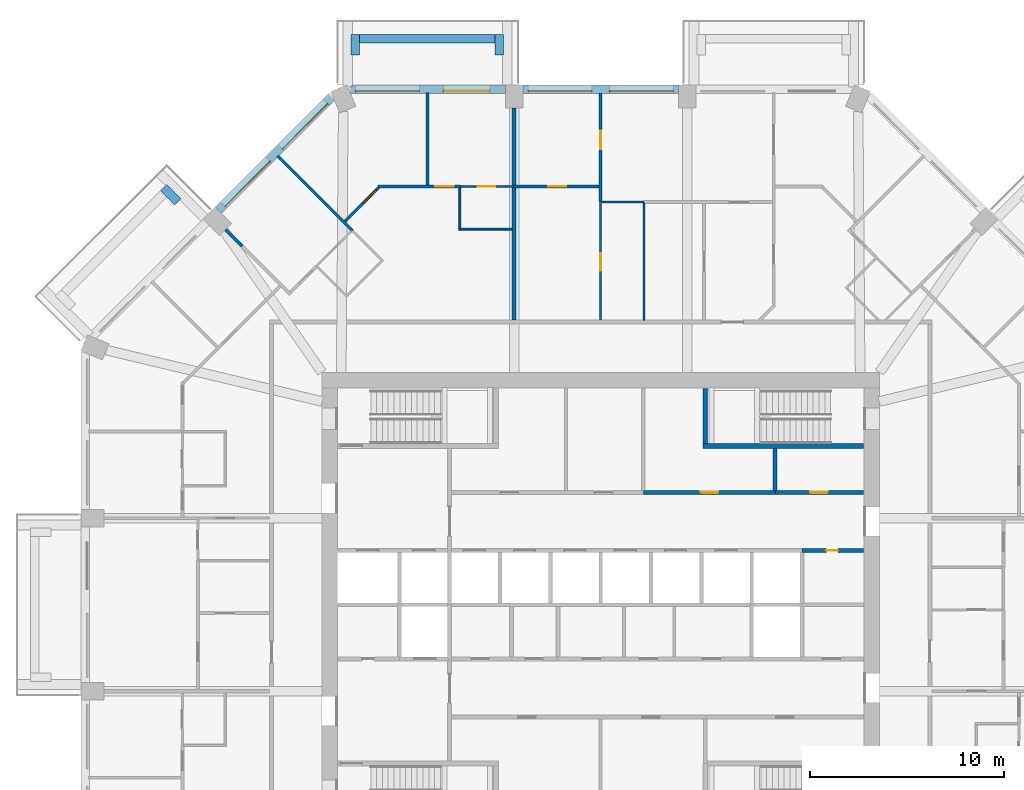
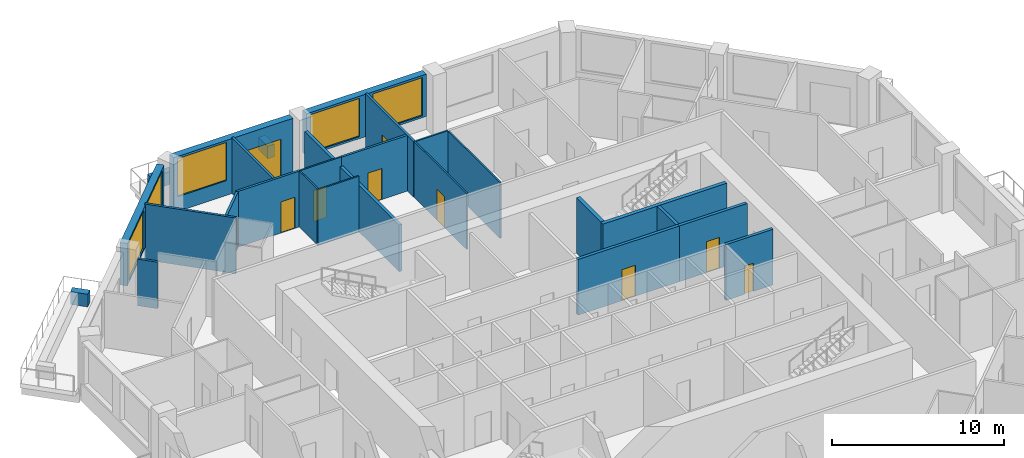
# One storey, part 9 of 13: 27 walls, 10 doors, 5 windows, 15 openings.
"""IFC4 building model written with IfcOpenShell, lengths in metres."""

from ifc_helpers import new_model, si_unit, direction, frame, frame_2d, origin, place, context, subcontext, project, spatial, rectangle, extrude, material, layer, layer_set, type_object, element, fill, save


model = new_model("IFC4")

# Units and contexts
model_context = context("Model", 3, precision=1e-05, world=origin(), true_north=direction((0.0, 1.0)))
body_context = subcontext(model_context, "Body", "Model", "MODEL_VIEW")
ifc_project = project(units=[si_unit("LENGTHUNIT", "METRE"), si_unit("AREAUNIT", "SQUARE_METRE"), si_unit("VOLUMEUNIT", "CUBIC_METRE"), si_unit("PLANEANGLEUNIT", "RADIAN"), si_unit("MASSUNIT", "GRAM", prefix="KILO")], contexts=[model_context])

# Site, building, storey
site_placement = place(None, origin())
site = spatial("IfcSite", under=ifc_project, at=site_placement, CompositionType="ELEMENT")
building_placement = place(site_placement, origin())
building = spatial("IfcBuilding", under=site, at=building_placement, Name="Msitu Wima Residences", CompositionType="ELEMENT")
storey_placement = place(building_placement, frame((0.0, 0.0, 114.89990234375)))
storey = spatial("IfcBuildingStorey", under=building, at=storey_placement, Name="L26", CompositionType="ELEMENT", Elevation=114.89990234375)

# Walls
ifc_material_1 = material(Name="Facing brick")
ifc_layer_1 = layer(ifc_material_1, 0.06494140625, Name="Facing brick")
ifc_material_2 = material(Name="Concrete C40/50", Category="concrete")
ifc_layer_2 = layer(ifc_material_2, 0.156005859375, Name="Concrete C40/50")
ifc_material_3 = material(Name="Waterproofing membrane")
ifc_layer_3 = layer(ifc_material_3, 0.00390625, Name="Waterproofing membrane")
ifc_material_4 = material(Name="Planting soil and planting")
ifc_layer_4 = layer(ifc_material_4, 0.22509765625, Name="Planting soil and planting")
ifc_layer_set_1 = layer_set([ifc_layer_1, ifc_layer_2, ifc_layer_3, ifc_layer_4], Name="Concrete C40/50")
wall_type_1 = type_object("IfcWallType", Name="Balcony planter PLANTER PL450", PredefinedType="USERDEFINED", material=ifc_layer_set_1)
wall_1_placement = place(storey_placement, frame((-5.468505859375, 29.22509765625, 0.0), z_axis=(0.0, 0.0, 1.0), x_axis=(-1.0, 0.0, 0.0)))
element("IfcWall", 1, at=wall_1_placement, inside=storey, type_object=wall_type_1, Name="Balcony planter N2 L26", ObjectType="PLANTER", PredefinedType="USERDEFINED", context=body_context, shape_type="SweptSolid", body=[
    extrude(rectangle(XDim=6.9873046875, YDim=0.449951171875, at=frame_2d((3.49365234375, 0.0))), origin(), (0.0, 0.0, 1.0), 0.900146484375),
])
for number, where, z_axis, x_axis, name in (
    (2, (-5.24365234375, 28.39990234375, 0.0), (0.0, 0.0, 1.0), (0.0, 1.0, 0.0), "Balcony planter N2 L26"),
    (3, (-12.680908203125, 28.39990234375, 0.0), (0.0, 0.0, 1.0), (0.0, 1.0, 0.0), "Balcony planter N2 L26"),
    (4, (-21.829833984375, 20.804443359375, 0.0), (0.0, 0.0, 1.0), (-0.707106781187, 0.707106781187, 0.0), "Balcony planter NW1 L26"),
):
    element("IfcWall", number, at=place(storey_placement, frame(where, z_axis=z_axis, x_axis=x_axis)), inside=storey, type_object=wall_type_1, Name=name, ObjectType="PLANTER", PredefinedType="USERDEFINED", context=body_context, shape_type="SweptSolid", body=[
        extrude(rectangle(XDim=1.050048828125, YDim=0.449951171875, at=frame_2d((0.52490234375, 0.0))), origin(), (0.0, 0.0, 1.0), 0.900146484375),
    ])

# Wall, openings, windows
ifc_material_5 = material(Name="Brick (red buff mix)", Category="masonry")
ifc_layer_5 = layer(ifc_material_5, 0.449951171875)
ifc_layer_set_2 = layer_set([ifc_layer_5], Name="Brick (red buff mix)")
wall_type_2 = type_object("IfcWallType", Name="Brick infill wall BW450", PredefinedType="SOLIDWALL", material=ifc_layer_set_2)
wall_2_placement = place(storey_placement, frame((4.0185546875, 26.625, 0.900146484375), z_axis=(0.0, 0.0, 1.0), x_axis=(-1.0, 0.0, 0.0)))
wall_2 = element("IfcWall", 5, at=wall_2_placement, inside=storey, type_object=wall_type_2, Name="Brick infill wall L26 N1", PredefinedType="SOLIDWALL", context=body_context, shape_type="SweptSolid", body=[
    extrude(rectangle(XDim=8.037109375, YDim=0.449951171875, at=frame_2d((4.0185546875, 0.0))), origin(), (0.0, 0.0, 1.0), 3.0),
])
opening_1_placement = place(wall_2_placement, frame((0.2685546875, 0.0, 0.14990234375)))
opening_1 = element("IfcOpeningElement", 6, at=opening_1_placement, cuts=wall_2, Name="Opening W25-26.007", PredefinedType="OPENING", context=body_context, shape_type="SweptSolid", body=[
    extrude(rectangle(XDim=3.300048828125, YDim=2.699951171875, at=frame_2d((1.64990234375, 1.35009765625))), frame((0.0, 0.23486328125, 0.0), z_axis=(0.0, -1.0, 0.0), x_axis=(1.0, 0.0, 0.0)), (0.0, 0.0, 1.0), 0.469970703125),
])
opening_2_placement = place(wall_2_placement, frame((4.46875, 0.0, 0.14990234375)))
opening_2 = element("IfcOpeningElement", 7, at=opening_2_placement, cuts=wall_2, Name="Opening W25-26.008", PredefinedType="OPENING", context=body_context, shape_type="SweptSolid", body=[
    extrude(rectangle(XDim=3.300048828125, YDim=2.699951171875, at=frame_2d((1.64990234375, 1.35009765625))), frame((0.0, 0.23486328125, 0.0), z_axis=(0.0, -1.0, 0.0), x_axis=(1.0, 0.0, 0.0)), (0.0, 0.0, 1.0), 0.469970703125),
])
ifc_material_6 = material(Name="Anodised aluminium, bronze finish, clear low-emissivity double glazing", Category="aluminium")
window_type = type_object("IfcWindowType", Name="Window W3300x2700", PartitioningType="DOUBLE_PANEL_VERTICAL", PredefinedType="WINDOW", material=ifc_material_6)
window_1_placement = place(opening_1_placement, origin())
window_1 = element("IfcWindow", 8, at=window_1_placement, inside=storey, type_object=window_type, Name="Window L26 N1.1", OverallHeight=2.699951171875, OverallWidth=3.300048828125, PartitioningType="SINGLE_PANEL", PredefinedType="WINDOW", context=body_context, shape_type="SweptSolid", body=[
    extrude(rectangle(XDim=3.300048828125, YDim=2.699951171875, at=frame_2d((1.64990234375, 1.35009765625))), frame((0.0, 0.135009765625, 0.0), z_axis=(0.0, -1.0, 0.0), x_axis=(1.0, 0.0, 0.0)), (0.0, 0.0, 1.0), 0.06005859375),
])
fill(opening_1, window_1)
window_2_placement = place(opening_2_placement, origin())
window_2 = element("IfcWindow", 9, at=window_2_placement, inside=storey, type_object=window_type, Name="Window L26 N1.2", OverallHeight=2.699951171875, OverallWidth=3.300048828125, PartitioningType="SINGLE_PANEL", PredefinedType="WINDOW", context=body_context, shape_type="SweptSolid", body=[
    extrude(rectangle(XDim=3.300048828125, YDim=2.699951171875, at=frame_2d((1.64990234375, 1.35009765625))), frame((0.0, 0.135009765625, 0.0), z_axis=(0.0, -1.0, 0.0), x_axis=(1.0, 0.0, 0.0)), (0.0, 0.0, 1.0), 0.06005859375),
])
fill(opening_2, window_2)

# Wall, openings, door, window
wall_3_placement = place(storey_placement, frame((-4.918701171875, 26.625, 0.0), z_axis=(0.0, 0.0, 1.0), x_axis=(-1.0, 0.0, 0.0)))
wall_3 = element("IfcWall", 10, at=wall_3_placement, inside=storey, type_object=wall_type_2, Name="Brick infill wall L26 N2", PredefinedType="SOLIDWALL", context=body_context, shape_type="SweptSolid", body=[
    extrude(rectangle(XDim=8.0, YDim=0.449951171875, at=frame_2d((4.0, 0.0))), origin(), (0.0, 0.0, 1.0), 3.900146484375),
])
opening_3_placement = place(wall_3_placement, frame((0.800048828125, 0.0, 0.0)))
opening_3 = element("IfcOpeningElement", 11, at=opening_3_placement, cuts=wall_3, Name="Opening D25-26.003", PredefinedType="OPENING", context=body_context, shape_type="SweptSolid", body=[
    extrude(rectangle(XDim=2.39990234375, YDim=2.699951171875, at=frame_2d((1.199951171875, 1.35009765625))), frame((0.0, 0.23486328125, 0.0), z_axis=(0.0, -1.0, 0.0), x_axis=(1.0, 0.0, 0.0)), (0.0, 0.0, 1.0), 0.469970703125),
])
opening_4_placement = place(wall_3_placement, frame((4.4501953125, 0.0, 1.050048828125)))
opening_4 = element("IfcOpeningElement", 12, at=opening_4_placement, cuts=wall_3, Name="Opening W25-26.009", PredefinedType="OPENING", context=body_context, shape_type="SweptSolid", body=[
    extrude(rectangle(XDim=3.300048828125, YDim=2.699951171875, at=frame_2d((1.64990234375, 1.35009765625))), frame((0.0, 0.23486328125, 0.0), z_axis=(0.0, -1.0, 0.0), x_axis=(1.0, 0.0, 0.0)), (0.0, 0.0, 1.0), 0.469970703125),
])
door_type_1 = type_object("IfcDoorType", Name="Balcony door D2400x2700", OperationType="SLIDING_TO_LEFT", PredefinedType="DOOR", material=ifc_material_6)
door_1_placement = place(opening_3_placement, origin())
door_1 = element("IfcDoor", 13, at=door_1_placement, inside=storey, type_object=door_type_1, Name="Balcony door L26 N2", OperationType="SINGLE_SWING_LEFT", OverallHeight=2.699951171875, OverallWidth=2.39990234375, PredefinedType="DOOR", context=body_context, shape_type="SweptSolid", body=[
    extrude(rectangle(XDim=2.39990234375, YDim=2.699951171875, at=frame_2d((1.199951171875, 1.35009765625))), frame((0.0, 0.1298828125, 0.0), z_axis=(0.0, -1.0, 0.0), x_axis=(1.0, 0.0, 0.0)), (0.0, 0.0, 1.0), 0.050048828125),
])
fill(opening_3, door_1)
window_3_placement = place(opening_4_placement, origin())
window_3 = element("IfcWindow", 14, at=window_3_placement, inside=storey, type_object=window_type, Name="Window L26 N2.2", OverallHeight=2.699951171875, OverallWidth=3.300048828125, PartitioningType="SINGLE_PANEL", PredefinedType="WINDOW", context=body_context, shape_type="SweptSolid", body=[
    extrude(rectangle(XDim=3.300048828125, YDim=2.699951171875, at=frame_2d((1.64990234375, 1.35009765625))), frame((0.0, 0.135009765625, 0.0), z_axis=(0.0, -1.0, 0.0), x_axis=(1.0, 0.0, 0.0)), (0.0, 0.0, 1.0), 0.06005859375),
])
fill(opening_4, window_3)

# Wall, openings, windows
wall_4_placement = place(storey_placement, frame((-13.909423828125, 26.214599609375, 0.900146484375), z_axis=(0.0, 0.0, 1.0), x_axis=(-0.707106781187, -0.707106781187, 0.0)))
wall_4 = element("IfcWall", 15, at=wall_4_placement, inside=storey, type_object=wall_type_2, Name="Brick infill wall L26 NW0", PredefinedType="SOLIDWALL", context=body_context, shape_type="SweptSolid", body=[
    extrude(rectangle(XDim=8.251220703125, YDim=0.449951171875, at=frame_2d((4.12548828125, 0.0))), origin(), (0.0, 0.0, 1.0), 3.0),
])
opening_5_placement = place(wall_4_placement, frame((0.37548828125, 0.0, 0.14990234375)))
opening_5 = element("IfcOpeningElement", 16, at=opening_5_placement, cuts=wall_4, Name="Opening W25-26.013", PredefinedType="OPENING", context=body_context, shape_type="SweptSolid", body=[
    extrude(rectangle(XDim=3.300048828125, YDim=2.699951171875, at=frame_2d((1.64990234375, 1.35009765625))), frame((0.0, 0.23486328125, 0.0), z_axis=(0.0, -1.0, 0.0), x_axis=(1.0, 0.0, 0.0)), (0.0, 0.0, 1.0), 0.469970703125),
])
opening_6_placement = place(wall_4_placement, frame((4.57568359375, 0.0, 0.14990234375)))
opening_6 = element("IfcOpeningElement", 17, at=opening_6_placement, cuts=wall_4, Name="Opening W25-26.014", PredefinedType="OPENING", context=body_context, shape_type="SweptSolid", body=[
    extrude(rectangle(XDim=3.300048828125, YDim=2.699951171875, at=frame_2d((1.64990234375, 1.35009765625))), frame((0.0, 0.23486328125, 0.0), z_axis=(0.0, -1.0, 0.0), x_axis=(1.0, 0.0, 0.0)), (0.0, 0.0, 1.0), 0.469970703125),
])
window_4_placement = place(opening_5_placement, origin())
window_4 = element("IfcWindow", 18, at=window_4_placement, inside=storey, type_object=window_type, Name="Window L26 NW0.1", OverallHeight=2.699951171875, OverallWidth=3.300048828125, PartitioningType="SINGLE_PANEL", PredefinedType="WINDOW", context=body_context, shape_type="SweptSolid", body=[
    extrude(rectangle(XDim=3.300048828125, YDim=2.699951171875, at=frame_2d((1.64990234375, 1.35009765625))), frame((0.0, 0.135009765625, 0.0), z_axis=(0.0, -1.0, 0.0), x_axis=(1.0, 0.0, 0.0)), (0.0, 0.0, 1.0), 0.06005859375),
])
fill(opening_5, window_4)
window_5_placement = place(opening_6_placement, origin())
window_5 = element("IfcWindow", 19, at=window_5_placement, inside=storey, type_object=window_type, Name="Window L26 NW0.2", OverallHeight=2.699951171875, OverallWidth=3.300048828125, PartitioningType="SINGLE_PANEL", PredefinedType="WINDOW", context=body_context, shape_type="SweptSolid", body=[
    extrude(rectangle(XDim=3.300048828125, YDim=2.699951171875, at=frame_2d((1.64990234375, 1.35009765625))), frame((0.0, 0.135009765625, 0.0), z_axis=(0.0, -1.0, 0.0), x_axis=(1.0, 0.0, 0.0)), (0.0, 0.0, 1.0), 0.06005859375),
])
fill(opening_6, window_5)

# Wall, opening, door
ifc_material_7 = material(Name="Plaster")
ifc_layer_6 = layer(ifc_material_7, 0.011962890625, Name="Plaster")
ifc_material_8 = material(Name="Concrete blockwork", Category="masonry")
ifc_layer_7 = layer(ifc_material_8, 0.176025390625, Name="Concrete blockwork")
ifc_layer_8 = layer(ifc_material_7, 0.011962890625, Name="Plaster")
ifc_layer_set_3 = layer_set([ifc_layer_6, ifc_layer_7, ifc_layer_8], Name="Concrete blockwork")
wall_type_3 = type_object("IfcWallType", Name="Corridor wall FW200", PredefinedType="PARTITIONING", material=ifc_layer_set_3)
wall_5_placement = place(storey_placement, frame((9.02001953125, 5.800048828125, 0.0), z_axis=(0.0, 0.0, 1.0), x_axis=(1.0, 0.0, 0.0)))
wall_5 = element("IfcWall", 20, at=wall_5_placement, inside=storey, type_object=wall_type_3, Name="Corridor wall", PredefinedType="PARTITIONING", context=body_context, shape_type="SweptSolid", body=[
    extrude(rectangle(XDim=4.550048828125, YDim=0.199951171875, at=frame_2d((2.27490234375, 0.0))), origin(), (0.0, 0.0, 1.0), 3.9501953125),
])
opening_7_placement = place(wall_5_placement, frame((1.800048828125, 0.0, 0.0)))
opening_7 = element("IfcOpeningElement", 21, at=opening_7_placement, cuts=wall_5, Name="Opening D25-26.023", PredefinedType="OPENING", context=body_context, shape_type="SweptSolid", body=[
    extrude(rectangle(XDim=0.89990234375, YDim=2.199951171875, at=frame_2d((0.449951171875, 1.10009765625))), frame((0.0, 0.10986328125, 0.0), z_axis=(0.0, -1.0, 0.0), x_axis=(1.0, 0.0, 0.0)), (0.0, 0.0, 1.0), 0.219970703125),
])
ifc_material_9 = material(Name="Timber flush door", Category="wood")
door_type_2 = type_object("IfcDoorType", Name="Service door D05 900x2200", OperationType="SINGLE_SWING_LEFT", PredefinedType="DOOR", material=ifc_material_9)
door_2_placement = place(opening_7_placement, origin())
door_2 = element("IfcDoor", 22, at=door_2_placement, inside=storey, type_object=door_type_2, Name="Service door", OperationType="SINGLE_SWING_LEFT", OverallHeight=2.199951171875, OverallWidth=0.89990234375, PredefinedType="DOOR", context=body_context, shape_type="SweptSolid", body=[
    extrude(rectangle(XDim=0.89990234375, YDim=2.199951171875, at=frame_2d((0.449951171875, 1.10009765625))), frame((0.0, 0.02490234375, 0.0), z_axis=(0.0, -1.0, 0.0), x_axis=(1.0, 0.0, 0.0)), (0.0, 0.0, 1.0), 0.050048828125),
])
fill(opening_7, door_2)

# Walls
ifc_layer_9 = layer(ifc_material_7, 0.011962890625, Name="Plaster")
ifc_layer_10 = layer(ifc_material_8, 0.1259765625, Name="Concrete blockwork")
ifc_layer_11 = layer(ifc_material_7, 0.011962890625, Name="Plaster")
ifc_layer_set_4 = layer_set([ifc_layer_9, ifc_layer_10, ifc_layer_11], Name="Concrete blockwork")
wall_type_4 = type_object("IfcWallType", Name="Partition PW150", PredefinedType="PARTITIONING", material=ifc_layer_set_4)
wall_6_placement = place(storey_placement, frame((-19.37255859375, 19.37255859375, 0.0), z_axis=(0.0, 0.0, 1.0), x_axis=(0.707106781187, -0.707106781187, 0.0)))
element("IfcWall", 23, at=wall_6_placement, inside=storey, type_object=wall_type_4, Name="Partition", PredefinedType="PARTITIONING", context=body_context, shape_type="SweptSolid", body=[
    extrude(rectangle(XDim=1.209228515625, YDim=0.14990234375, at=frame_2d((0.6044921875, 0.0))), origin(), (0.0, 0.0, 1.0), 3.300048828125),
])
wall_7_placement = place(storey_placement, frame((-16.693359375, 23.1904296875, 0.0), z_axis=(0.0, 0.0, 1.0), x_axis=(0.707106781187, -0.707106781187, 0.0)))
element("IfcWall", 24, at=wall_7_placement, inside=storey, type_object=wall_type_4, Name="Partition", PredefinedType="PARTITIONING", context=body_context, shape_type="SweptSolid", body=[
    extrude(rectangle(XDim=5.475341796875, YDim=0.14990234375, at=frame_2d((2.73779296875, 0.0))), origin(), (0.0, 0.0, 1.0), 3.9501953125),
])

# Wall, opening, door
wall_8_placement = place(storey_placement, frame((-13.207275390625, 19.810302734375, 0.0), z_axis=(0.0, 0.0, 1.0), x_axis=(0.707106781187, 0.707106781187, 0.0)))
wall_8 = element("IfcWall", 25, at=wall_8_placement, inside=storey, type_object=wall_type_4, Name="Partition", PredefinedType="PARTITIONING", context=body_context, shape_type="SweptSolid", body=[
    extrude(rectangle(XDim=2.455810546875, YDim=0.14990234375, at=frame_2d((1.22802734375, 0.0))), origin(), (0.0, 0.0, 1.0), 3.9501953125),
])
opening_8_placement = place(wall_8_placement, frame((1.35009765625, 0.0, 0.0)))
opening_8 = element("IfcOpeningElement", 26, at=opening_8_placement, cuts=wall_8, Name="Opening D25-26.059", PredefinedType="OPENING", context=body_context, shape_type="SweptSolid", body=[
    extrude(rectangle(XDim=0.949951171875, YDim=2.199951171875, at=frame_2d((0.47509765625, 1.10009765625))), frame((0.0, 0.0849609375, 0.0), z_axis=(0.0, -1.0, 0.0), x_axis=(1.0, 0.0, 0.0)), (0.0, 0.0, 1.0), 0.169921875),
])
door_type_3 = type_object("IfcDoorType", Name="Room door D12 950x2200", OperationType="SINGLE_SWING_LEFT", PredefinedType="DOOR", material=ifc_material_9)
door_3_placement = place(opening_8_placement, origin())
door_3 = element("IfcDoor", 27, at=door_3_placement, inside=storey, type_object=door_type_3, Name="Room door", OperationType="SINGLE_SWING_LEFT", OverallHeight=2.199951171875, OverallWidth=0.949951171875, PredefinedType="DOOR", context=body_context, shape_type="SweptSolid", body=[
    extrude(rectangle(XDim=0.949951171875, YDim=2.199951171875, at=frame_2d((0.47509765625, 1.10009765625))), frame((0.0, 0.02490234375, 0.0), z_axis=(0.0, -1.0, 0.0), x_axis=(1.0, 0.0, 0.0)), (0.0, 0.0, 1.0), 0.050048828125),
])
fill(opening_8, door_3)

wall_9_placement = place(storey_placement, frame((-11.49267578125, 21.60009765625, 0.0), z_axis=(0.0, 0.0, 1.0), x_axis=(1.0, 0.0, 0.0)))
wall_9 = element("IfcWall", 28, at=wall_9_placement, inside=storey, type_object=wall_type_4, Name="Partition", PredefinedType="PARTITIONING", context=body_context, shape_type="SweptSolid", body=[
    extrude(rectangle(XDim=4.244140625, YDim=0.14990234375, at=frame_2d((2.1220703125, 0.0))), origin(), (0.0, 0.0, 1.0), 3.9501953125),
])
opening_9_placement = place(wall_9_placement, frame((2.949951171875, 0.0, 0.0)))
opening_9 = element("IfcOpeningElement", 29, at=opening_9_placement, cuts=wall_9, Name="Opening D25-26.055", PredefinedType="OPENING", context=body_context, shape_type="SweptSolid", body=[
    extrude(rectangle(XDim=0.949951171875, YDim=2.199951171875, at=frame_2d((0.47509765625, 1.10009765625))), frame((0.0, 0.0849609375, 0.0), z_axis=(0.0, -1.0, 0.0), x_axis=(1.0, 0.0, 0.0)), (0.0, 0.0, 1.0), 0.169921875),
])
door_4_placement = place(opening_9_placement, origin())
door_4 = element("IfcDoor", 30, at=door_4_placement, inside=storey, type_object=door_type_3, Name="Room door", OperationType="SINGLE_SWING_LEFT", OverallHeight=2.199951171875, OverallWidth=0.949951171875, PredefinedType="DOOR", context=body_context, shape_type="SweptSolid", body=[
    extrude(rectangle(XDim=0.949951171875, YDim=2.199951171875, at=frame_2d((0.47509765625, 1.10009765625))), frame((0.0, 0.02490234375, 0.0), z_axis=(0.0, -1.0, 0.0), x_axis=(1.0, 0.0, 0.0)), (0.0, 0.0, 1.0), 0.050048828125),
])
fill(opening_9, door_4)

# Wall
wall_10_placement = place(storey_placement, frame((-8.937255859375, 21.675048828125, 0.0), z_axis=(0.0, 0.0, 1.0), x_axis=(0.0, 1.0, 0.0)))
element("IfcWall", 31, at=wall_10_placement, inside=storey, type_object=wall_type_4, Name="Partition", PredefinedType="PARTITIONING", context=body_context, shape_type="SweptSolid", body=[
    extrude(rectangle(XDim=4.780029296875, YDim=0.14990234375, at=frame_2d((2.39013671875, 0.0))), origin(), (0.0, 0.0, 1.0), 3.9501953125),
])

# Wall, opening, door
wall_11_placement = place(storey_placement, frame((-4.46875, 21.60009765625, 0.0), z_axis=(0.0, 0.0, 1.0), x_axis=(1.0, 0.0, 0.0)))
wall_11 = element("IfcWall", 32, at=wall_11_placement, inside=storey, type_object=wall_type_4, Name="Partition", PredefinedType="PARTITIONING", context=body_context, shape_type="SweptSolid", body=[
    extrude(rectangle(XDim=4.393798828125, YDim=0.14990234375, at=frame_2d((2.19677734375, 0.0))), origin(), (0.0, 0.0, 1.0), 3.9501953125),
])
opening_10_placement = place(wall_11_placement, frame((1.75, 0.0, 0.0)))
opening_10 = element("IfcOpeningElement", 33, at=opening_10_placement, cuts=wall_11, Name="Opening D25-26.093", PredefinedType="OPENING", context=body_context, shape_type="SweptSolid", body=[
    extrude(rectangle(XDim=0.949951171875, YDim=2.199951171875, at=frame_2d((0.47509765625, 1.10009765625))), frame((0.0, 0.0849609375, 0.0), z_axis=(0.0, -1.0, 0.0), x_axis=(1.0, 0.0, 0.0)), (0.0, 0.0, 1.0), 0.169921875),
])
door_5_placement = place(opening_10_placement, origin())
door_5 = element("IfcDoor", 34, at=door_5_placement, inside=storey, type_object=door_type_3, Name="Room door", OperationType="SINGLE_SWING_LEFT", OverallHeight=2.199951171875, OverallWidth=0.949951171875, PredefinedType="DOOR", context=body_context, shape_type="SweptSolid", body=[
    extrude(rectangle(XDim=0.949951171875, YDim=2.199951171875, at=frame_2d((0.47509765625, 1.10009765625))), frame((0.0, 0.02490234375, 0.0), z_axis=(0.0, -1.0, 0.0), x_axis=(1.0, 0.0, 0.0)), (0.0, 0.0, 1.0), 0.050048828125),
])
fill(opening_10, door_5)

wall_12_placement = place(storey_placement, frame((0.0, 20.820068359375, 0.0), z_axis=(0.0, 0.0, 1.0), x_axis=(0.0, 1.0, 0.0)))
wall_12 = element("IfcWall", 35, at=wall_12_placement, inside=storey, type_object=wall_type_4, Name="Partition", PredefinedType="PARTITIONING", context=body_context, shape_type="SweptSolid", body=[
    extrude(rectangle(XDim=5.60498046875, YDim=0.14990234375, at=frame_2d((2.802490234375, 0.0))), origin(), (0.0, 0.0, 1.0), 3.9501953125),
])
opening_11_placement = place(wall_12_placement, frame((2.699951171875, 0.0, 0.0)))
opening_11 = element("IfcOpeningElement", 36, at=opening_11_placement, cuts=wall_12, Name="Opening D25-26.092", PredefinedType="OPENING", context=body_context, shape_type="SweptSolid", body=[
    extrude(rectangle(XDim=0.949951171875, YDim=2.199951171875, at=frame_2d((0.47509765625, 1.10009765625))), frame((0.0, 0.0849609375, 0.0), z_axis=(0.0, -1.0, 0.0), x_axis=(1.0, 0.0, 0.0)), (0.0, 0.0, 1.0), 0.169921875),
])
door_6_placement = place(opening_11_placement, origin())
door_6 = element("IfcDoor", 37, at=door_6_placement, inside=storey, type_object=door_type_3, Name="Room door", OperationType="SINGLE_SWING_RIGHT", OverallHeight=2.199951171875, OverallWidth=0.949951171875, PredefinedType="DOOR", context=body_context, shape_type="SweptSolid", body=[
    extrude(rectangle(XDim=0.949951171875, YDim=2.199951171875, at=frame_2d((0.47509765625, 1.10009765625))), frame((0.0, 0.02490234375, 0.0), z_axis=(0.0, -1.0, 0.0), x_axis=(1.0, 0.0, 0.0)), (0.0, 0.0, 1.0), 0.050048828125),
])
fill(opening_11, door_6)

# Wall
ifc_layer_12 = layer(ifc_material_7, 0.011962890625, Name="Plaster")
ifc_material_10 = material(Name="Dense concrete blockwork", Category="masonry")
ifc_layer_13 = layer(ifc_material_10, 0.176025390625, Name="Dense concrete blockwork")
ifc_layer_14 = layer(ifc_material_7, 0.011962890625, Name="Plaster")
ifc_layer_set_5 = layer_set([ifc_layer_12, ifc_layer_13, ifc_layer_14], Name="Dense concrete blockwork")
wall_type_5 = type_object("IfcWallType", Name="Party wall PW200", PredefinedType="PARTITIONING", material=ifc_layer_set_5)
wall_13_placement = place(storey_placement, frame((-4.46875, 14.699951171875, 0.0), z_axis=(0.0, 0.0, 1.0), x_axis=(0.0, 1.0, 0.0)))
element("IfcWall", 38, at=wall_13_placement, inside=storey, type_object=wall_type_5, Name="Party wall", PredefinedType="PARTITIONING", context=body_context, shape_type="SweptSolid", body=[
    extrude(rectangle(XDim=10.949951171875, YDim=0.199951171875, at=frame_2d((5.47509765625, 0.0))), origin(), (0.0, 0.0, 1.0), 3.300048828125),
])

# Wall, opening, door
ifc_layer_15 = layer(ifc_material_7, 0.011962890625, Name="Plaster")
ifc_material_11 = material(Name="Reinforced concrete blockwork", Category="masonry")
ifc_layer_16 = layer(ifc_material_11, 0.176025390625, Name="Reinforced concrete blockwork")
ifc_layer_17 = layer(ifc_material_7, 0.011962890625, Name="Plaster")
ifc_layer_set_6 = layer_set([ifc_layer_15, ifc_layer_16, ifc_layer_17], Name="Reinforced concrete blockwork")
wall_type_6 = type_object("IfcWallType", Name="Plant and riser wall PL200", PredefinedType="PARTITIONING", material=ifc_layer_set_6)
wall_14_placement = place(storey_placement, frame((2.219970703125, 5.800048828125, 0.0), z_axis=(0.0, 0.0, 1.0), x_axis=(1.0, 0.0, 0.0)))
wall_14 = element("IfcWall", 39, at=wall_14_placement, inside=storey, type_object=wall_type_6, Name="Plant and riser wall", PredefinedType="PARTITIONING", context=body_context, shape_type="SweptSolid", body=[
    extrude(rectangle(XDim=6.800048828125, YDim=0.199951171875, at=frame_2d((3.39990234375, 0.0))), origin(), (0.0, 0.0, 1.0), 3.9501953125),
])
opening_12_placement = place(wall_14_placement, frame((2.949951171875, 0.0, 0.0)))
opening_12 = element("IfcOpeningElement", 40, at=opening_12_placement, cuts=wall_14, Name="Opening D25-26.022", PredefinedType="OPENING", context=body_context, shape_type="SweptSolid", body=[
    extrude(rectangle(XDim=0.89990234375, YDim=2.199951171875, at=frame_2d((0.449951171875, 1.10009765625))), frame((0.0, 0.10986328125, 0.0), z_axis=(0.0, -1.0, 0.0), x_axis=(1.0, 0.0, 0.0)), (0.0, 0.0, 1.0), 0.219970703125),
])
door_7_placement = place(opening_12_placement, origin())
door_7 = element("IfcDoor", 41, at=door_7_placement, inside=storey, type_object=door_type_2, Name="Service door", OperationType="SINGLE_SWING_RIGHT", OverallHeight=2.199951171875, OverallWidth=0.89990234375, PredefinedType="DOOR", context=body_context, shape_type="SweptSolid", body=[
    extrude(rectangle(XDim=0.89990234375, YDim=2.199951171875, at=frame_2d((0.449951171875, 1.10009765625))), frame((0.0, 0.02490234375, 0.0), z_axis=(0.0, -1.0, 0.0), x_axis=(1.0, 0.0, 0.0)), (0.0, 0.0, 1.0), 0.050048828125),
])
fill(opening_12, door_7)

# Wall
wall_15_placement = place(storey_placement, frame((9.0, 5.89990234375, 0.0), z_axis=(0.0, 0.0, 1.0), x_axis=(0.0, 1.0, 0.0)))
element("IfcWall", 42, at=wall_15_placement, inside=storey, type_object=wall_type_6, Name="Plant and riser wall", PredefinedType="PARTITIONING", context=body_context, shape_type="SweptSolid", body=[
    extrude(rectangle(XDim=2.175048828125, YDim=0.199951171875, at=frame_2d((1.08740234375, 0.0))), origin(), (0.0, 0.0, 1.0), 3.9501953125),
])

# Wall, opening, door
wall_16_placement = place(storey_placement, frame((10.39990234375, 2.800048828125, 0.0), z_axis=(0.0, 0.0, 1.0), x_axis=(1.0, 0.0, 0.0)))
wall_16 = element("IfcWall", 43, at=wall_16_placement, inside=storey, type_object=wall_type_6, Name="Plant and riser wall", PredefinedType="PARTITIONING", context=body_context, shape_type="SweptSolid", body=[
    extrude(rectangle(XDim=3.170166015625, YDim=0.199951171875, at=frame_2d((1.5849609375, 0.0))), origin(), (0.0, 0.0, 1.0), 3.9501953125),
])
opening_13_placement = place(wall_16_placement, frame((1.25, 0.0, 0.0)))
opening_13 = element("IfcOpeningElement", 44, at=opening_13_placement, cuts=wall_16, Name="Opening D25-26.029", PredefinedType="OPENING", context=body_context, shape_type="SweptSolid", body=[
    extrude(rectangle(XDim=0.60009765625, YDim=2.0, at=frame_2d((0.300048828125, 1.0))), frame((0.0, 0.10986328125, 0.0), z_axis=(0.0, -1.0, 0.0), x_axis=(1.0, 0.0, 0.0)), (0.0, 0.0, 1.0), 0.219970703125),
])
ifc_material_12 = material(Name="Steel access door, fire resisting", Category="steel")
door_type_4 = type_object("IfcDoorType", Name="Riser access door D08 600x2000", OperationType="SINGLE_SWING_LEFT", PredefinedType="DOOR", material=ifc_material_12)
door_8_placement = place(opening_13_placement, origin())
door_8 = element("IfcDoor", 45, at=door_8_placement, inside=storey, type_object=door_type_4, Name="Riser access door", OperationType="SINGLE_SWING_RIGHT", OverallHeight=2.0, OverallWidth=0.60009765625, PredefinedType="DOOR", context=body_context, shape_type="SweptSolid", body=[
    extrude(rectangle(XDim=0.60009765625, YDim=2.0, at=frame_2d((0.300048828125, 1.0))), frame((0.0, 0.02490234375, 0.0), z_axis=(0.0, -1.0, 0.0), x_axis=(1.0, 0.0, 0.0)), (0.0, 0.0, 1.0), 0.050048828125),
])
fill(opening_13, door_8)

# Walls
ifc_material_13 = material(Name="Concrete C50/60", Category="concrete")
ifc_layer_18 = layer(ifc_material_13, 0.25)
ifc_layer_set_7 = layer_set([ifc_layer_18], Name="Concrete C50/60")
wall_type_7 = type_object("IfcWallType", Name="Stair enclosure wall SW250", PredefinedType="SHEAR", material=ifc_layer_set_7)
wall_17_placement = place(storey_placement, frame((5.39990234375, 8.324951171875, 0.0), z_axis=(0.0, 0.0, 1.0), x_axis=(0.0, 1.0, 0.0)))
element("IfcWall", 46, at=wall_17_placement, inside=storey, type_object=wall_type_7, Name="Stair enclosure wall", PredefinedType="SHEAR", context=body_context, shape_type="SweptSolid", body=[
    extrude(rectangle(XDim=2.844970703125, YDim=0.25, at=frame_2d((1.42236328125, 0.0))), origin(), (0.0, 0.0, 1.0), 3.9501953125),
])
wall_18_placement = place(storey_placement, frame((5.27490234375, 8.199951171875, 0.0), z_axis=(0.0, 0.0, 1.0), x_axis=(1.0, 0.0, 0.0)))
element("IfcWall", 47, at=wall_18_placement, inside=storey, type_object=wall_type_7, Name="Stair enclosure wall", PredefinedType="SHEAR", context=body_context, shape_type="SweptSolid", body=[
    extrude(rectangle(XDim=8.295166015625, YDim=0.25, at=frame_2d((4.1474609375, 0.0))), origin(), (0.0, 0.0, 1.0), 3.9501953125),
])

# Wall, opening, door
ifc_material_14 = material(Name="Ceramic tiles")
ifc_layer_19 = layer(ifc_material_14, 0.008056640625, Name="Ceramic tiles")
ifc_material_15 = material(Name="Moisture-resistant board")
ifc_layer_20 = layer(ifc_material_15, 0.012451171875, Name="Moisture-resistant board")
ifc_material_16 = material(Name="Light-gauge stud framing with mineral wool")
ifc_layer_21 = layer(ifc_material_16, 0.06689453125, Name="Light-gauge stud framing with mineral wool")
ifc_layer_22 = layer(ifc_material_15, 0.012451171875, Name="Moisture-resistant board")
ifc_layer_set_8 = layer_set([ifc_layer_19, ifc_layer_20, ifc_layer_21, ifc_layer_22], Name="Light-gauge stud framing with mineral wool")
wall_type_8 = type_object("IfcWallType", Name="Wet wall PW100", PredefinedType="PARTITIONING", material=ifc_layer_set_8)
wall_19_placement = place(storey_placement, frame((-7.24853515625, 21.60009765625, 0.0), z_axis=(0.0, 0.0, 1.0), x_axis=(1.0, 0.0, 0.0)))
wall_19 = element("IfcWall", 48, at=wall_19_placement, inside=storey, type_object=wall_type_8, Name="Wet wall", PredefinedType="PARTITIONING", context=body_context, shape_type="SweptSolid", body=[
    extrude(rectangle(XDim=2.77978515625, YDim=0.10009765625, at=frame_2d((1.389892578125, 0.0))), origin(), (0.0, 0.0, 1.0), 3.9501953125),
])
opening_14_placement = place(wall_19_placement, frame((0.89990234375, 0.0, 0.0)))
opening_14 = element("IfcOpeningElement", 49, at=opening_14_placement, cuts=wall_19, Name="Opening D25-26.056", PredefinedType="OPENING", context=body_context, shape_type="SweptSolid", body=[
    extrude(rectangle(XDim=0.89990234375, YDim=2.199951171875, at=frame_2d((0.449951171875, 1.10009765625))), frame((0.0, 0.06005859375, 0.0), z_axis=(0.0, -1.0, 0.0), x_axis=(1.0, 0.0, 0.0)), (0.0, 0.0, 1.0), 0.1201171875),
])
ifc_material_17 = material(Name="Timber flush door, moisture resistant", Category="wood")
door_type_5 = type_object("IfcDoorType", Name="Bathroom door D03 900x2200", OperationType="SINGLE_SWING_LEFT", PredefinedType="DOOR", material=ifc_material_17)
door_9_placement = place(opening_14_placement, origin())
door_9 = element("IfcDoor", 50, at=door_9_placement, inside=storey, type_object=door_type_5, Name="Bathroom door", OperationType="SINGLE_SWING_RIGHT", OverallHeight=2.199951171875, OverallWidth=0.89990234375, PredefinedType="DOOR", context=body_context, shape_type="SweptSolid", body=[
    extrude(rectangle(XDim=0.89990234375, YDim=2.199951171875, at=frame_2d((0.449951171875, 1.10009765625))), frame((0.0, 0.02490234375, 0.0), z_axis=(0.0, -1.0, 0.0), x_axis=(1.0, 0.0, 0.0)), (0.0, 0.0, 1.0), 0.050048828125),
])
fill(opening_14, door_9)

# Walls
wall_20_placement = place(storey_placement, frame((-7.2685546875, 19.449951171875, 0.0), z_axis=(0.0, 0.0, 1.0), x_axis=(0.0, 1.0, 0.0)))
element("IfcWall", 51, at=wall_20_placement, inside=storey, type_object=wall_type_8, Name="Wet wall", PredefinedType="PARTITIONING", context=body_context, shape_type="SweptSolid", body=[
    extrude(rectangle(XDim=2.074951171875, YDim=0.10009765625, at=frame_2d((1.03759765625, 0.0))), origin(), (0.0, 0.0, 1.0), 3.9501953125),
])
wall_21_placement = place(storey_placement, frame((-7.318603515625, 19.39990234375, 0.0), z_axis=(0.0, 0.0, 1.0), x_axis=(1.0, 0.0, 0.0)))
element("IfcWall", 52, at=wall_21_placement, inside=storey, type_object=wall_type_8, Name="Wet wall", PredefinedType="PARTITIONING", context=body_context, shape_type="SweptSolid", body=[
    extrude(rectangle(XDim=2.75, YDim=0.10009765625, at=frame_2d((1.375, 0.0))), origin(), (0.0, 0.0, 1.0), 3.9501953125),
])

# Wall, opening, door
wall_22_placement = place(storey_placement, frame((0.0, 14.699951171875, 0.0), z_axis=(0.0, 0.0, 1.0), x_axis=(0.0, 1.0, 0.0)))
wall_22 = element("IfcWall", 53, at=wall_22_placement, inside=storey, type_object=wall_type_8, Name="Wet wall", PredefinedType="PARTITIONING", context=body_context, shape_type="SweptSolid", body=[
    extrude(rectangle(XDim=6.1201171875, YDim=0.10009765625, at=frame_2d((3.06005859375, 0.0))), origin(), (0.0, 0.0, 1.0), 3.9501953125),
])
opening_15_placement = place(wall_22_placement, frame((2.550048828125, 0.0, 0.0)))
opening_15 = element("IfcOpeningElement", 54, at=opening_15_placement, cuts=wall_22, Name="Opening D25-26.094", PredefinedType="OPENING", context=body_context, shape_type="SweptSolid", body=[
    extrude(rectangle(XDim=0.89990234375, YDim=2.199951171875, at=frame_2d((0.449951171875, 1.10009765625))), frame((0.0, 0.06005859375, 0.0), z_axis=(0.0, -1.0, 0.0), x_axis=(1.0, 0.0, 0.0)), (0.0, 0.0, 1.0), 0.1201171875),
])
door_10_placement = place(opening_15_placement, origin())
door_10 = element("IfcDoor", 55, at=door_10_placement, inside=storey, type_object=door_type_5, Name="Bathroom door", OperationType="SINGLE_SWING_RIGHT", OverallHeight=2.199951171875, OverallWidth=0.89990234375, PredefinedType="DOOR", context=body_context, shape_type="SweptSolid", body=[
    extrude(rectangle(XDim=0.89990234375, YDim=2.199951171875, at=frame_2d((0.449951171875, 1.10009765625))), frame((0.0, 0.02490234375, 0.0), z_axis=(0.0, -1.0, 0.0), x_axis=(1.0, 0.0, 0.0)), (0.0, 0.0, 1.0), 0.050048828125),
])
fill(opening_15, door_10)

# Walls
wall_23_placement = place(storey_placement, frame((0.074951171875, 20.800048828125, 0.0), z_axis=(0.0, 0.0, 1.0), x_axis=(1.0, 0.0, 0.0)))
element("IfcWall", 56, at=wall_23_placement, inside=storey, type_object=wall_type_8, Name="Wet wall", PredefinedType="PARTITIONING", context=body_context, shape_type="SweptSolid", body=[
    extrude(rectangle(XDim=2.142333984375, YDim=0.10009765625, at=frame_2d((1.0712890625, 0.0))), origin(), (0.0, 0.0, 1.0), 3.9501953125),
])
wall_24_placement = place(storey_placement, frame((2.2373046875, 14.699951171875, 0.0), z_axis=(0.0, 0.0, 1.0), x_axis=(0.0, 1.0, 0.0)))
element("IfcWall", 57, at=wall_24_placement, inside=storey, type_object=wall_type_8, Name="Wet wall", PredefinedType="PARTITIONING", context=body_context, shape_type="SweptSolid", body=[
    extrude(rectangle(XDim=6.025146484375, YDim=0.10009765625, at=frame_2d((3.0126953125, 0.0))), origin(), (0.0, 0.0, 1.0), 3.9501953125),
])

save(model, "model.ifc")
